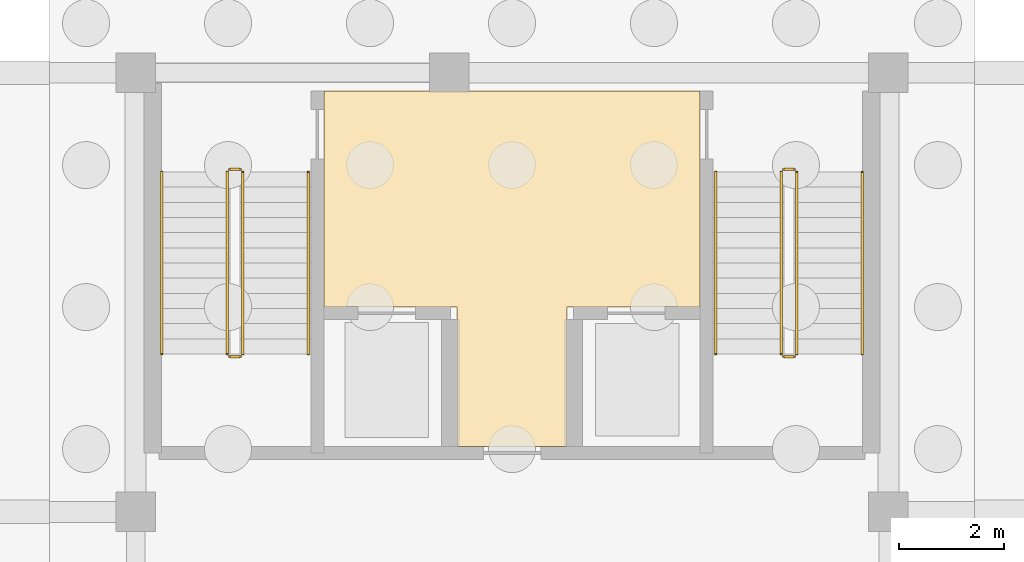
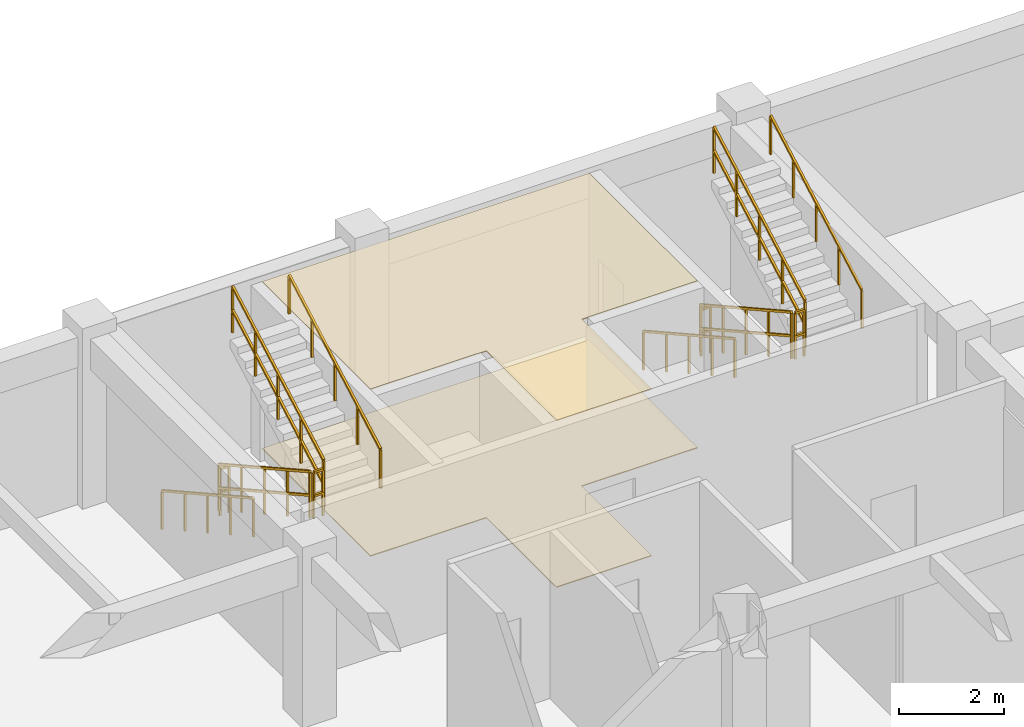
# One storey, part 39 of 40: 12 railings, 2 coverings.
"""IFC4 building model written with IfcOpenShell, lengths in metres."""

from ifc_helpers import new_model, si_unit, direction, frame, origin, origin_2d, place, context, subcontext, project, spatial, polyline, rectangle, outline, extrude, material, layer, layer_set, type_object, element, save


model = new_model("IFC4")

# Units and contexts
model_context = context("Model", 3, precision=1e-05, world=origin(), true_north=direction((0.0, 1.0)))
body_context = subcontext(model_context, "Body", "Model", "MODEL_VIEW")
ifc_project = project(units=[si_unit("LENGTHUNIT", "METRE"), si_unit("AREAUNIT", "SQUARE_METRE"), si_unit("VOLUMEUNIT", "CUBIC_METRE"), si_unit("PLANEANGLEUNIT", "RADIAN"), si_unit("MASSUNIT", "GRAM", prefix="KILO"), si_unit("THERMODYNAMICTEMPERATUREUNIT", "KELVIN")], contexts=[model_context])

# Site, building, storey
site_placement = place(None, origin())
site = spatial("IfcSite", under=ifc_project, at=site_placement, CompositionType="ELEMENT")
building_placement = place(site_placement, origin())
building = spatial("IfcBuilding", under=site, at=building_placement, Name="Thalorik Housing Commons", CompositionType="ELEMENT")
storey_placement = place(building_placement, frame((0.0, 0.0, -4.199951171875)))
storey = spatial("IfcBuildingStorey", under=building, at=storey_placement, Name="B1", CompositionType="ELEMENT", Elevation=-4.199951171875)

# Coverings
ifc_material_1 = material(Name="Slatted timber acoustic hall baffle ceiling", Category="wood")
ifc_layer_1 = layer(ifc_material_1, 0.02197265625, Name="Slatted timber acoustic hall baffle ceiling", Category="wood")
ifc_layer_set_1 = layer_set([ifc_layer_1], Name="Slatted timber acoustic hall baffle ceiling")
covering_type_1 = type_object("IfcCoveringType", Name="ARC-COV-CEIL-03", PredefinedType="CEILING", material=ifc_layer_set_1)
covering_1_placement = place(storey_placement, frame((0.0, 0.0, 3.8779296875)))
element("IfcCovering", 1, at=covering_1_placement, inside=storey, type_object=covering_type_1, Name="B1 Block B Firefighting Lift Lobby Suspended Ceiling", PredefinedType="CEILING", context=body_context, shape_type="SweptSolid", body=[
    extrude(outline(polyline([(158.550048828125, 116.449951171875), (160.64990234375, 116.449951171875), (160.650146484375, 119.1201171875), (163.199951171875, 119.1201171875), (163.199951171875, 123.25), (156.0, 123.25), (156.0, 119.1201171875), (158.550048828125, 119.1201171875), (158.550048828125, 116.449951171875)])), origin(), (0.0, 0.0, 1.0), 0.02197265625),
])
ifc_material_2 = material(Name="Cushioned natural linoleum nursery playroom flooring")
ifc_layer_2 = layer(ifc_material_2, 0.02001953125, Name="Cushioned natural linoleum nursery playroom flooring")
ifc_layer_set_2 = layer_set([ifc_layer_2], Name="Cushioned natural linoleum nursery playroom flooring")
covering_type_2 = type_object("IfcCoveringType", Name="ARC-COV-FLR-03", PredefinedType="FLOORING", material=ifc_layer_set_2)
covering_2_placement = place(storey_placement, origin())
element("IfcCovering", 2, at=covering_2_placement, inside=storey, type_object=covering_type_2, Name="B1 Block B Firefighting Lift Lobby Flooring", PredefinedType="FLOORING", context=body_context, shape_type="SweptSolid", body=[
    extrude(outline(polyline([(158.550048828125, 116.449951171875), (160.64990234375, 116.449951171875), (160.650146484375, 119.1201171875), (163.199951171875, 119.1201171875), (163.199951171875, 123.25), (156.0, 123.25), (156.0, 119.1201171875), (158.550048828125, 119.1201171875), (158.550048828125, 116.449951171875)])), origin(), (0.0, 0.0, 1.0), 0.02001953125),
])

# Railings
ifc_material_3 = material(Name="Steel S355", Category="steel")
railing_type_1 = type_object("IfcRailingType", Name="ARC-RL-STR-GRD110", PredefinedType="GUARDRAIL", material=ifc_material_3)
railing_1_placement = place(storey_placement, frame((154.14990234375, 121.699951171875, 0.161376953125)))
element("IfcRailing", 3, at=railing_1_placement, inside=storey, type_object=railing_type_1, Name="B1 ST-B1 stair guard 1", PredefinedType="GUARDRAIL", context=body_context, shape_type="SweptSolid", body=[
    extrude(rectangle(XDim=0.048095703125, YDim=0.048095703125, at=origin_2d()), frame((0.0, 0.0, 1.076171875), z_axis=(0.0, -0.87360743253, 0.486631332559), x_axis=(1.0, 0.0, 0.0)), (0.0, 0.0, 1.0), 3.9833984375),
    extrude(rectangle(XDim=0.048095703125, YDim=0.048095703125, at=origin_2d()), frame((0.0, 0.0, 0.52587890625), z_axis=(0.0, -0.87360743253, 0.486631332559), x_axis=(1.0, 0.0, 0.0)), (0.0, 0.0, 1.0), 3.9833984375),
    extrude(rectangle(XDim=0.0419921875, YDim=0.0419921875, at=origin_2d()), origin(), (0.0, 0.0, 1.0), 1.052001953125),
    extrude(rectangle(XDim=0.0419921875, YDim=0.0419921875, at=origin_2d()), frame((0.0, -0.8701171875, 0.484619140625)), (0.0, 0.0, 1.0), 1.052001953125),
    extrude(rectangle(XDim=0.0419921875, YDim=0.0419921875, at=origin_2d()), frame((0.0, -1.739990234375, 0.96923828125)), (0.0, 0.0, 1.0), 1.052001953125),
    extrude(rectangle(XDim=0.0419921875, YDim=0.0419921875, at=origin_2d()), frame((0.0, -2.60986328125, 1.453857421875)), (0.0, 0.0, 1.0), 1.052001953125),
    extrude(rectangle(XDim=0.0419921875, YDim=0.0419921875, at=origin_2d()), frame((0.0, -3.47998046875, 1.9384765625)), (0.0, 0.0, 1.0), 1.052001953125),
])
railing_2_placement = place(storey_placement, frame((154.199951171875, 118.169921875, 2.099853515625)))
element("IfcRailing", 4, at=railing_2_placement, inside=storey, type_object=railing_type_1, Name="B1 ST-B1 stair guard 2", PredefinedType="GUARDRAIL", context=body_context, shape_type="SweptSolid", body=[
    extrude(rectangle(XDim=0.048095703125, YDim=0.048095703125, at=origin_2d()), frame((0.0, 0.0, 1.076171875), z_axis=(1.0, 0.0, 0.0), x_axis=(0.0, 1.0, 0.0)), (0.0, 0.0, 1.0), 0.199951171875),
    extrude(rectangle(XDim=0.048095703125, YDim=0.048095703125, at=origin_2d()), frame((0.0, 0.0, 0.52587890625), z_axis=(1.0, 0.0, 0.0), x_axis=(0.0, 1.0, 0.0)), (0.0, 0.0, 1.0), 0.199951171875),
    extrude(rectangle(XDim=0.0419921875, YDim=0.0419921875, at=origin_2d()), origin(), (0.0, 0.0, 1.0), 1.052001953125),
    extrude(rectangle(XDim=0.0419921875, YDim=0.0419921875, at=origin_2d()), frame((0.199951171875, 0.0, 0.0)), (0.0, 0.0, 1.0), 1.052001953125),
])
railing_3_placement = place(storey_placement, frame((154.449951171875, 118.219970703125, 2.261474609375)))
element("IfcRailing", 5, at=railing_3_placement, inside=storey, type_object=railing_type_1, Name="B1 ST-B1 stair guard 3", PredefinedType="GUARDRAIL", context=body_context, shape_type="SweptSolid", body=[
    extrude(rectangle(XDim=0.048095703125, YDim=0.048095703125, at=origin_2d()), frame((0.0, 0.0, 1.076171875), z_axis=(0.0, 0.87360743253, 0.486631332559), x_axis=(-1.0, 0.0, 0.0)), (0.0, 0.0, 1.0), 3.9833984375),
    extrude(rectangle(XDim=0.048095703125, YDim=0.048095703125, at=origin_2d()), frame((0.0, 0.0, 0.52587890625), z_axis=(0.0, 0.87360743253, 0.486631332559), x_axis=(-1.0, 0.0, 0.0)), (0.0, 0.0, 1.0), 3.9833984375),
    extrude(rectangle(XDim=0.0419921875, YDim=0.0419921875, at=origin_2d()), origin(), (0.0, 0.0, 1.0), 1.052001953125),
    extrude(rectangle(XDim=0.0419921875, YDim=0.0419921875, at=origin_2d()), frame((0.0, 0.8701171875, 0.484619140625)), (0.0, 0.0, 1.0), 1.052001953125),
    extrude(rectangle(XDim=0.0419921875, YDim=0.0419921875, at=origin_2d()), frame((0.0, 1.739990234375, 0.96923828125)), (0.0, 0.0, 1.0), 1.052001953125),
    extrude(rectangle(XDim=0.0419921875, YDim=0.0419921875, at=origin_2d()), frame((0.0, 2.60986328125, 1.453857421875)), (0.0, 0.0, 1.0), 1.052001953125),
    extrude(rectangle(XDim=0.0419921875, YDim=0.0419921875, at=origin_2d()), frame((0.0, 3.47998046875, 1.9384765625)), (0.0, 0.0, 1.0), 1.052001953125),
])
railing_4_placement = place(storey_placement, frame((154.199951171875, 121.75, 0.0)))
element("IfcRailing", 6, at=railing_4_placement, inside=storey, type_object=railing_type_1, Name="B1 ST-B1 stair guard 4", PredefinedType="GUARDRAIL", context=body_context, shape_type="SweptSolid", body=[
    extrude(rectangle(XDim=0.048095703125, YDim=0.048095703125, at=origin_2d()), frame((0.0, 0.0, 1.076171875), z_axis=(1.0, 0.0, 0.0), x_axis=(0.0, 1.0, 0.0)), (0.0, 0.0, 1.0), 0.199951171875),
    extrude(rectangle(XDim=0.048095703125, YDim=0.048095703125, at=origin_2d()), frame((0.0, 0.0, 0.52587890625), z_axis=(1.0, 0.0, 0.0), x_axis=(0.0, 1.0, 0.0)), (0.0, 0.0, 1.0), 0.199951171875),
    extrude(rectangle(XDim=0.0419921875, YDim=0.0419921875, at=origin_2d()), origin(), (0.0, 0.0, 1.0), 1.052001953125),
    extrude(rectangle(XDim=0.0419921875, YDim=0.0419921875, at=origin_2d()), frame((0.199951171875, 0.0, 0.0)), (0.0, 0.0, 1.0), 1.052001953125),
])
railing_5_placement = place(storey_placement, frame((164.75, 121.699951171875, 0.161376953125)))
element("IfcRailing", 7, at=railing_5_placement, inside=storey, type_object=railing_type_1, Name="B1 ST-B2 stair guard 1", PredefinedType="GUARDRAIL", context=body_context, shape_type="SweptSolid", body=[
    extrude(rectangle(XDim=0.048095703125, YDim=0.048095703125, at=origin_2d()), frame((0.0, 0.0, 1.076171875), z_axis=(0.0, -0.87360743253, 0.486631332559), x_axis=(1.0, 0.0, 0.0)), (0.0, 0.0, 1.0), 3.9833984375),
    extrude(rectangle(XDim=0.048095703125, YDim=0.048095703125, at=origin_2d()), frame((0.0, 0.0, 0.52587890625), z_axis=(0.0, -0.87360743253, 0.486631332559), x_axis=(1.0, 0.0, 0.0)), (0.0, 0.0, 1.0), 3.9833984375),
    extrude(rectangle(XDim=0.0419921875, YDim=0.0419921875, at=origin_2d()), origin(), (0.0, 0.0, 1.0), 1.052001953125),
    extrude(rectangle(XDim=0.0419921875, YDim=0.0419921875, at=origin_2d()), frame((0.0, -0.8701171875, 0.484619140625)), (0.0, 0.0, 1.0), 1.052001953125),
    extrude(rectangle(XDim=0.0419921875, YDim=0.0419921875, at=origin_2d()), frame((0.0, -1.739990234375, 0.96923828125)), (0.0, 0.0, 1.0), 1.052001953125),
    extrude(rectangle(XDim=0.0419921875, YDim=0.0419921875, at=origin_2d()), frame((0.0, -2.60986328125, 1.453857421875)), (0.0, 0.0, 1.0), 1.052001953125),
    extrude(rectangle(XDim=0.0419921875, YDim=0.0419921875, at=origin_2d()), frame((0.0, -3.47998046875, 1.9384765625)), (0.0, 0.0, 1.0), 1.052001953125),
])
railing_6_placement = place(storey_placement, frame((164.800048828125, 118.169921875, 2.099853515625)))
element("IfcRailing", 8, at=railing_6_placement, inside=storey, type_object=railing_type_1, Name="B1 ST-B2 stair guard 2", PredefinedType="GUARDRAIL", context=body_context, shape_type="SweptSolid", body=[
    extrude(rectangle(XDim=0.048095703125, YDim=0.048095703125, at=origin_2d()), frame((0.0, 0.0, 1.076171875), z_axis=(1.0, 0.0, 0.0), x_axis=(0.0, 1.0, 0.0)), (0.0, 0.0, 1.0), 0.199951171875),
    extrude(rectangle(XDim=0.048095703125, YDim=0.048095703125, at=origin_2d()), frame((0.0, 0.0, 0.52587890625), z_axis=(1.0, 0.0, 0.0), x_axis=(0.0, 1.0, 0.0)), (0.0, 0.0, 1.0), 0.199951171875),
    extrude(rectangle(XDim=0.0419921875, YDim=0.0419921875, at=origin_2d()), origin(), (0.0, 0.0, 1.0), 1.052001953125),
    extrude(rectangle(XDim=0.0419921875, YDim=0.0419921875, at=origin_2d()), frame((0.199951171875, 0.0, 0.0)), (0.0, 0.0, 1.0), 1.052001953125),
])
railing_7_placement = place(storey_placement, frame((165.050048828125, 118.219970703125, 2.261474609375)))
element("IfcRailing", 9, at=railing_7_placement, inside=storey, type_object=railing_type_1, Name="B1 ST-B2 stair guard 3", PredefinedType="GUARDRAIL", context=body_context, shape_type="SweptSolid", body=[
    extrude(rectangle(XDim=0.048095703125, YDim=0.048095703125, at=origin_2d()), frame((0.0, 0.0, 1.076171875), z_axis=(0.0, 0.87360743253, 0.486631332559), x_axis=(-1.0, 0.0, 0.0)), (0.0, 0.0, 1.0), 3.9833984375),
    extrude(rectangle(XDim=0.048095703125, YDim=0.048095703125, at=origin_2d()), frame((0.0, 0.0, 0.52587890625), z_axis=(0.0, 0.87360743253, 0.486631332559), x_axis=(-1.0, 0.0, 0.0)), (0.0, 0.0, 1.0), 3.9833984375),
    extrude(rectangle(XDim=0.0419921875, YDim=0.0419921875, at=origin_2d()), origin(), (0.0, 0.0, 1.0), 1.052001953125),
    extrude(rectangle(XDim=0.0419921875, YDim=0.0419921875, at=origin_2d()), frame((0.0, 0.8701171875, 0.484619140625)), (0.0, 0.0, 1.0), 1.052001953125),
    extrude(rectangle(XDim=0.0419921875, YDim=0.0419921875, at=origin_2d()), frame((0.0, 1.739990234375, 0.96923828125)), (0.0, 0.0, 1.0), 1.052001953125),
    extrude(rectangle(XDim=0.0419921875, YDim=0.0419921875, at=origin_2d()), frame((0.0, 2.60986328125, 1.453857421875)), (0.0, 0.0, 1.0), 1.052001953125),
    extrude(rectangle(XDim=0.0419921875, YDim=0.0419921875, at=origin_2d()), frame((0.0, 3.47998046875, 1.9384765625)), (0.0, 0.0, 1.0), 1.052001953125),
])
railing_8_placement = place(storey_placement, frame((164.800048828125, 121.75, 0.0)))
element("IfcRailing", 10, at=railing_8_placement, inside=storey, type_object=railing_type_1, Name="B1 ST-B2 stair guard 4", PredefinedType="GUARDRAIL", context=body_context, shape_type="SweptSolid", body=[
    extrude(rectangle(XDim=0.048095703125, YDim=0.048095703125, at=origin_2d()), frame((0.0, 0.0, 1.076171875), z_axis=(1.0, 0.0, 0.0), x_axis=(0.0, 1.0, 0.0)), (0.0, 0.0, 1.0), 0.199951171875),
    extrude(rectangle(XDim=0.048095703125, YDim=0.048095703125, at=origin_2d()), frame((0.0, 0.0, 0.52587890625), z_axis=(1.0, 0.0, 0.0), x_axis=(0.0, 1.0, 0.0)), (0.0, 0.0, 1.0), 0.199951171875),
    extrude(rectangle(XDim=0.0419921875, YDim=0.0419921875, at=origin_2d()), origin(), (0.0, 0.0, 1.0), 1.052001953125),
    extrude(rectangle(XDim=0.0419921875, YDim=0.0419921875, at=origin_2d()), frame((0.199951171875, 0.0, 0.0)), (0.0, 0.0, 1.0), 1.052001953125),
])
railing_type_2 = type_object("IfcRailingType", Name="ARC-RL-STR-HR092", PredefinedType="HANDRAIL", material=ifc_material_3)
railing_9_placement = place(storey_placement, frame((152.89990234375, 121.699951171875, 0.161376953125)))
element("IfcRailing", 11, at=railing_9_placement, inside=storey, type_object=railing_type_2, Name="B1 ST-B1 stair handrail 1", PredefinedType="HANDRAIL", context=body_context, shape_type="SweptSolid", body=[
    extrude(rectangle(XDim=0.048095703125, YDim=0.048095703125, at=origin_2d()), frame((0.0, 0.0, 0.89599609375), z_axis=(0.0, -0.87360743253, 0.486631332559), x_axis=(1.0, 0.0, 0.0)), (0.0, 0.0, 1.0), 3.9833984375),
    extrude(rectangle(XDim=0.0419921875, YDim=0.0419921875, at=origin_2d()), origin(), (0.0, 0.0, 1.0), 0.871826171875),
    extrude(rectangle(XDim=0.0419921875, YDim=0.0419921875, at=origin_2d()), frame((0.0, -0.8701171875, 0.484619140625)), (0.0, 0.0, 1.0), 0.871826171875),
    extrude(rectangle(XDim=0.0419921875, YDim=0.0419921875, at=origin_2d()), frame((0.0, -1.739990234375, 0.96923828125)), (0.0, 0.0, 1.0), 0.871826171875),
    extrude(rectangle(XDim=0.0419921875, YDim=0.0419921875, at=origin_2d()), frame((0.0, -2.60986328125, 1.453857421875)), (0.0, 0.0, 1.0), 0.871826171875),
    extrude(rectangle(XDim=0.0419921875, YDim=0.0419921875, at=origin_2d()), frame((0.0, -3.47998046875, 1.9384765625)), (0.0, 0.0, 1.0), 0.871826171875),
])
railing_10_placement = place(storey_placement, frame((155.699951171875, 118.219970703125, 2.261474609375)))
element("IfcRailing", 12, at=railing_10_placement, inside=storey, type_object=railing_type_2, Name="B1 ST-B1 stair handrail 2", PredefinedType="HANDRAIL", context=body_context, shape_type="SweptSolid", body=[
    extrude(rectangle(XDim=0.048095703125, YDim=0.048095703125, at=origin_2d()), frame((0.0, 0.0, 0.89599609375), z_axis=(0.0, 0.87360743253, 0.486631332559), x_axis=(-1.0, 0.0, 0.0)), (0.0, 0.0, 1.0), 3.9833984375),
    extrude(rectangle(XDim=0.0419921875, YDim=0.0419921875, at=origin_2d()), origin(), (0.0, 0.0, 1.0), 0.871826171875),
    extrude(rectangle(XDim=0.0419921875, YDim=0.0419921875, at=origin_2d()), frame((0.0, 0.8701171875, 0.484619140625)), (0.0, 0.0, 1.0), 0.871826171875),
    extrude(rectangle(XDim=0.0419921875, YDim=0.0419921875, at=origin_2d()), frame((0.0, 1.739990234375, 0.96923828125)), (0.0, 0.0, 1.0), 0.871826171875),
    extrude(rectangle(XDim=0.0419921875, YDim=0.0419921875, at=origin_2d()), frame((0.0, 2.60986328125, 1.453857421875)), (0.0, 0.0, 1.0), 0.871826171875),
    extrude(rectangle(XDim=0.0419921875, YDim=0.0419921875, at=origin_2d()), frame((0.0, 3.47998046875, 1.9384765625)), (0.0, 0.0, 1.0), 0.871826171875),
])
railing_11_placement = place(storey_placement, frame((163.5, 121.699951171875, 0.161376953125)))
element("IfcRailing", 13, at=railing_11_placement, inside=storey, type_object=railing_type_2, Name="B1 ST-B2 stair handrail 1", PredefinedType="HANDRAIL", context=body_context, shape_type="SweptSolid", body=[
    extrude(rectangle(XDim=0.048095703125, YDim=0.048095703125, at=origin_2d()), frame((0.0, 0.0, 0.89599609375), z_axis=(0.0, -0.87360743253, 0.486631332559), x_axis=(1.0, 0.0, 0.0)), (0.0, 0.0, 1.0), 3.9833984375),
    extrude(rectangle(XDim=0.0419921875, YDim=0.0419921875, at=origin_2d()), origin(), (0.0, 0.0, 1.0), 0.871826171875),
    extrude(rectangle(XDim=0.0419921875, YDim=0.0419921875, at=origin_2d()), frame((0.0, -0.8701171875, 0.484619140625)), (0.0, 0.0, 1.0), 0.871826171875),
    extrude(rectangle(XDim=0.0419921875, YDim=0.0419921875, at=origin_2d()), frame((0.0, -1.739990234375, 0.96923828125)), (0.0, 0.0, 1.0), 0.871826171875),
    extrude(rectangle(XDim=0.0419921875, YDim=0.0419921875, at=origin_2d()), frame((0.0, -2.60986328125, 1.453857421875)), (0.0, 0.0, 1.0), 0.871826171875),
    extrude(rectangle(XDim=0.0419921875, YDim=0.0419921875, at=origin_2d()), frame((0.0, -3.47998046875, 1.9384765625)), (0.0, 0.0, 1.0), 0.871826171875),
])
railing_12_placement = place(storey_placement, frame((166.300048828125, 118.219970703125, 2.261474609375)))
element("IfcRailing", 14, at=railing_12_placement, inside=storey, type_object=railing_type_2, Name="B1 ST-B2 stair handrail 2", PredefinedType="HANDRAIL", context=body_context, shape_type="SweptSolid", body=[
    extrude(rectangle(XDim=0.048095703125, YDim=0.048095703125, at=origin_2d()), frame((0.0, 0.0, 0.89599609375), z_axis=(0.0, 0.87360743253, 0.486631332559), x_axis=(-1.0, 0.0, 0.0)), (0.0, 0.0, 1.0), 3.9833984375),
    extrude(rectangle(XDim=0.0419921875, YDim=0.0419921875, at=origin_2d()), origin(), (0.0, 0.0, 1.0), 0.871826171875),
    extrude(rectangle(XDim=0.0419921875, YDim=0.0419921875, at=origin_2d()), frame((0.0, 0.8701171875, 0.484619140625)), (0.0, 0.0, 1.0), 0.871826171875),
    extrude(rectangle(XDim=0.0419921875, YDim=0.0419921875, at=origin_2d()), frame((0.0, 1.739990234375, 0.96923828125)), (0.0, 0.0, 1.0), 0.871826171875),
    extrude(rectangle(XDim=0.0419921875, YDim=0.0419921875, at=origin_2d()), frame((0.0, 2.60986328125, 1.453857421875)), (0.0, 0.0, 1.0), 0.871826171875),
    extrude(rectangle(XDim=0.0419921875, YDim=0.0419921875, at=origin_2d()), frame((0.0, 3.47998046875, 1.9384765625)), (0.0, 0.0, 1.0), 0.871826171875),
])

save(model, "model.ifc")
